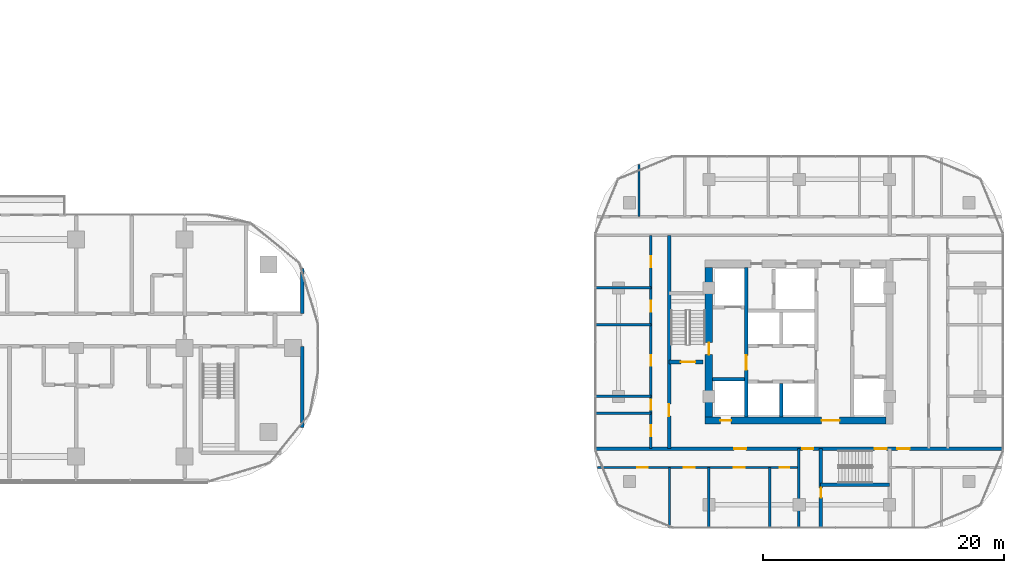
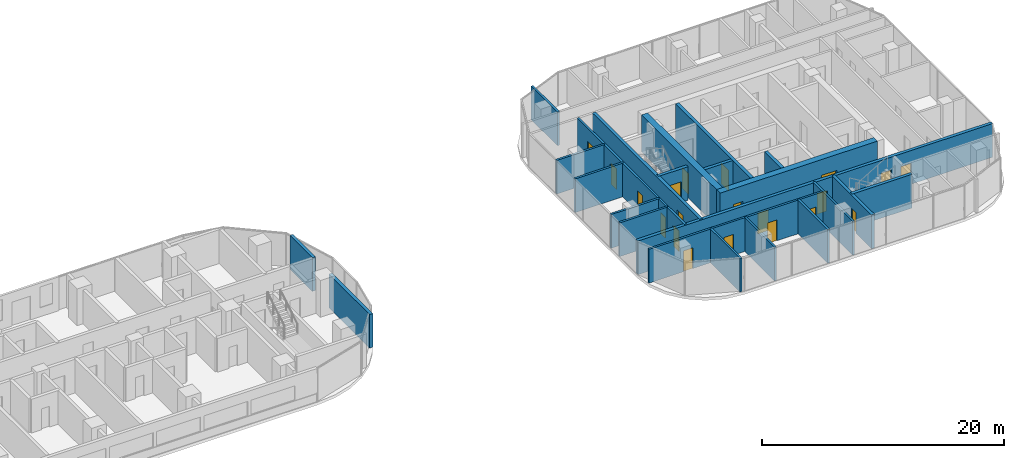
# One storey, part 21 of 32: 23 walls, 20 doors, 20 openings.
"""IFC4 building model written with IfcOpenShell, lengths in metres."""

from ifc_helpers import new_model, si_unit, direction, frame, frame_2d, origin, place, context, subcontext, project, spatial, rectangle, extrude, material, layer, layer_set, type_object, element, fill, save


model = new_model("IFC4")

# Units and contexts
model_context = context("Model", 3, precision=1e-05, world=origin(), true_north=direction((0.0, 1.0)))
body_context = subcontext(model_context, "Body", "Model", "MODEL_VIEW")
ifc_project = project(units=[si_unit("LENGTHUNIT", "METRE"), si_unit("AREAUNIT", "SQUARE_METRE"), si_unit("VOLUMEUNIT", "CUBIC_METRE"), si_unit("PLANEANGLEUNIT", "RADIAN"), si_unit("MASSUNIT", "GRAM", prefix="KILO")], contexts=[model_context])

# Site, building, storey
site_placement = place(None, origin())
site = spatial("IfcSite", under=ifc_project, at=site_placement, CompositionType="ELEMENT")
building_placement = place(site_placement, origin())
building = spatial("IfcBuilding", under=site, at=building_placement, Name="Ogive Portal Towers", CompositionType="ELEMENT")
storey_placement = place(building_placement, frame((0.0, 0.0, 55.699951171875)))
storey = spatial("IfcBuildingStorey", under=building, at=storey_placement, Name="L12", CompositionType="ELEMENT", Elevation=55.699951171875)

# Wall, opening, door
ifc_material_1 = material(Name="Concrete C60/75", Category="concrete")
ifc_layer_1 = layer(ifc_material_1, 0.300048828125)
ifc_layer_set_1 = layer_set([ifc_layer_1], Name="CORE WALL 300 C60")
wall_type_1 = type_object("IfcWallType", Name="CORE WALL 300 C60", PredefinedType="SHEAR", material=ifc_layer_set_1)
wall_1_placement = place(storey_placement, frame((132.10009765625, 24.800048828125, 0.0), z_axis=(0.0, 0.0, 1.0), x_axis=(0.0, 1.0, 0.0)))
wall_1 = element("IfcWall", 1, at=wall_1_placement, inside=storey, type_object=wall_type_1, Name="Tower B core wall BX1 L12", PredefinedType="SHEAR", context=body_context, shape_type="SweptSolid", body=[
    extrude(rectangle(XDim=12.39990234375, YDim=0.300048828125, at=frame_2d((6.199951171875, 0.0))), origin(), (0.0, 0.0, 1.0), 3.699951171875),
])
opening_1_placement = place(wall_1_placement, frame((3.89990234375, 0.0, 0.0)))
opening_1 = element("IfcOpeningElement", 2, at=opening_1_placement, cuts=wall_1, Name="Opening B03-041", PredefinedType="OPENING", context=body_context, shape_type="SweptSolid", body=[
    extrude(rectangle(XDim=1.199951171875, YDim=2.10009765625, at=frame_2d((0.60009765625, 1.050048828125))), frame((0.0, 0.16015625, 0.0), z_axis=(0.0, -1.0, 0.0), x_axis=(1.0, 0.0, 0.0)), (0.0, 0.0, 1.0), 0.320068359375),
])
ifc_material_2 = material(Name="Steel fire door", Category="steel")
door_type_1 = type_object("IfcDoorType", Name="DT-SWING-1200x2100-FD90S", OperationType="SINGLE_SWING_LEFT", PredefinedType="DOOR", material=ifc_material_2)
door_1_placement = place(opening_1_placement, origin())
door_1 = element("IfcDoor", 3, at=door_1_placement, inside=storey, type_object=door_type_1, Name="Door B03-041", OperationType="SINGLE_SWING_LEFT", OverallHeight=2.10009765625, OverallWidth=1.199951171875, PredefinedType="DOOR", context=body_context, shape_type="SweptSolid", body=[
    extrude(rectangle(XDim=1.199951171875, YDim=2.10009765625, at=frame_2d((0.60009765625, 1.050048828125))), frame((0.0, 0.02490234375, 0.0), z_axis=(0.0, -1.0, 0.0), x_axis=(1.0, 0.0, 0.0)), (0.0, 0.0, 1.0), 0.050048828125),
])
fill(opening_1, door_1)

# Walls
wall_2_placement = place(storey_placement, frame((135.0, 24.800048828125, 0.0), z_axis=(0.0, 0.0, 1.0), x_axis=(0.0, 1.0, 0.0)))
element("IfcWall", 4, at=wall_2_placement, inside=storey, type_object=wall_type_1, Name="Tower B core wall BX4 L12", PredefinedType="SHEAR", context=body_context, shape_type="SweptSolid", body=[
    extrude(rectangle(XDim=2.75, YDim=0.300048828125, at=frame_2d((1.375, 0.0))), origin(), (0.0, 0.0, 1.0), 3.699951171875),
])
wall_3_placement = place(storey_placement, frame((129.300048828125, 27.89990234375, 0.0), z_axis=(0.0, 0.0, 1.0), x_axis=(1.0, 0.0, 0.0)))
element("IfcWall", 5, at=wall_3_placement, inside=storey, type_object=wall_type_1, Name="Tower B core wall BY4 L12", PredefinedType="SHEAR", context=body_context, shape_type="SweptSolid", body=[
    extrude(rectangle(XDim=2.64990234375, YDim=0.300048828125, at=frame_2d((1.324951171875, 0.0))), origin(), (0.0, 0.0, 1.0), 3.699951171875),
])

# Wall, opening, door
ifc_layer_2 = layer(ifc_material_1, 0.60009765625)
ifc_layer_set_2 = layer_set([ifc_layer_2], Name="CORE WALL 600 C60")
wall_type_2 = type_object("IfcWallType", Name="CORE WALL 600 C60", PredefinedType="SHEAR", material=ifc_layer_set_2)
wall_4_placement = place(storey_placement, frame((129.0, 24.800048828125, 0.0), z_axis=(0.0, 0.0, 1.0), x_axis=(0.0, 1.0, 0.0)))
wall_4 = element("IfcWall", 6, at=wall_4_placement, inside=storey, type_object=wall_type_2, Name="Tower B core wall BW L12", PredefinedType="SHEAR", context=body_context, shape_type="SweptSolid", body=[
    extrude(rectangle(XDim=12.39990234375, YDim=0.60009765625, at=frame_2d((6.199951171875, 0.0))), origin(), (0.0, 0.0, 1.0), 3.699951171875),
])
opening_2_placement = place(wall_4_placement, frame((5.14990234375, 0.0, 0.0)))
opening_2 = element("IfcOpeningElement", 7, at=opening_2_placement, cuts=wall_4, Name="Opening B03-043", PredefinedType="OPENING", context=body_context, shape_type="SweptSolid", body=[
    extrude(rectangle(XDim=1.0, YDim=2.10009765625, at=frame_2d((0.5, 1.050048828125))), frame((0.0, 0.31005859375, 0.0), z_axis=(0.0, -1.0, 0.0), x_axis=(1.0, 0.0, 0.0)), (0.0, 0.0, 1.0), 0.6201171875),
])
door_type_2 = type_object("IfcDoorType", Name="DT-SWING-1000x2100-FD90S", OperationType="SINGLE_SWING_LEFT", PredefinedType="DOOR", material=ifc_material_2)
door_2_placement = place(opening_2_placement, origin())
door_2 = element("IfcDoor", 8, at=door_2_placement, inside=storey, type_object=door_type_2, Name="Door B03-043", OperationType="SINGLE_SWING_RIGHT", OverallHeight=2.10009765625, OverallWidth=1.0, PredefinedType="DOOR", context=body_context, shape_type="SweptSolid", body=[
    extrude(rectangle(XDim=1.0, YDim=2.10009765625, at=frame_2d((0.5, 1.050048828125))), frame((0.0, 0.02490234375, 0.0), z_axis=(0.0, -1.0, 0.0), x_axis=(1.0, 0.0, 0.0)), (0.0, 0.0, 1.0), 0.050048828125),
])
fill(opening_2, door_2)

# Wall, openings, doors
wall_5_placement = place(storey_placement, frame((128.699951171875, 24.5, 0.0), z_axis=(0.0, 0.0, 1.0), x_axis=(1.0, 0.0, 0.0)))
wall_5 = element("IfcWall", 9, at=wall_5_placement, inside=storey, type_object=wall_type_2, Name="Tower B core wall BS L12", PredefinedType="SHEAR", context=body_context, shape_type="SweptSolid", body=[
    extrude(rectangle(XDim=15.0, YDim=0.60009765625, at=frame_2d((7.5, 0.0))), origin(), (0.0, 0.0, 1.0), 3.699951171875),
])
opening_3_placement = place(wall_5_placement, frame((9.64990234375, 0.0, 0.0)))
opening_3 = element("IfcOpeningElement", 10, at=opening_3_placement, cuts=wall_5, Name="Opening B03-044", PredefinedType="OPENING", context=body_context, shape_type="SweptSolid", body=[
    extrude(rectangle(XDim=1.5, YDim=2.10009765625, at=frame_2d((0.75, 1.050048828125))), frame((0.0, 0.31005859375, 0.0), z_axis=(0.0, -1.0, 0.0), x_axis=(1.0, 0.0, 0.0)), (0.0, 0.0, 1.0), 0.6201171875),
])
opening_4_placement = place(wall_5_placement, frame((1.25, 0.0, 0.0)))
opening_4 = element("IfcOpeningElement", 11, at=opening_4_placement, cuts=wall_5, Name="Opening B03-046", PredefinedType="OPENING", context=body_context, shape_type="SweptSolid", body=[
    extrude(rectangle(XDim=0.89990234375, YDim=2.10009765625, at=frame_2d((0.449951171875, 1.050048828125))), frame((0.0, 0.31005859375, 0.0), z_axis=(0.0, -1.0, 0.0), x_axis=(1.0, 0.0, 0.0)), (0.0, 0.0, 1.0), 0.6201171875),
])
door_type_3 = type_object("IfcDoorType", Name="DT-SWING-1500x2100-FD90S", OperationType="SINGLE_SWING_LEFT", PredefinedType="DOOR", material=ifc_material_2)
door_3_placement = place(opening_3_placement, origin())
door_3 = element("IfcDoor", 12, at=door_3_placement, inside=storey, type_object=door_type_3, Name="Door B03-044", OperationType="SINGLE_SWING_LEFT", OverallHeight=2.10009765625, OverallWidth=1.5, PredefinedType="DOOR", context=body_context, shape_type="SweptSolid", body=[
    extrude(rectangle(XDim=1.5, YDim=2.10009765625, at=frame_2d((0.75, 1.050048828125))), frame((0.0, 0.02490234375, 0.0), z_axis=(0.0, -1.0, 0.0), x_axis=(1.0, 0.0, 0.0)), (0.0, 0.0, 1.0), 0.050048828125),
])
fill(opening_3, door_3)
door_type_4 = type_object("IfcDoorType", Name="DT-SWING-900x2100-FD90S", OperationType="SINGLE_SWING_LEFT", PredefinedType="DOOR", material=ifc_material_2)
door_4_placement = place(opening_4_placement, origin())
door_4 = element("IfcDoor", 13, at=door_4_placement, inside=storey, type_object=door_type_4, Name="Riser access door B03-046", OperationType="SINGLE_SWING_LEFT", OverallHeight=2.10009765625, OverallWidth=0.89990234375, PredefinedType="DOOR", context=body_context, shape_type="SweptSolid", body=[
    extrude(rectangle(XDim=0.89990234375, YDim=2.10009765625, at=frame_2d((0.449951171875, 1.050048828125))), frame((0.0, 0.02490234375, 0.0), z_axis=(0.0, -1.0, 0.0), x_axis=(1.0, 0.0, 0.0)), (0.0, 0.0, 1.0), 0.050048828125),
])
fill(opening_4, door_4)

# Wall
ifc_material_3 = material(Name="Concrete C50/60", Category="concrete")
ifc_layer_3 = layer(ifc_material_3, 0.300048828125)
ifc_layer_set_3 = layer_set([ifc_layer_3], Name="STAIR WALL 300 C50")
wall_type_3 = type_object("IfcWallType", Name="STAIR WALL 300 C50", PredefinedType="SHEAR", material=ifc_layer_set_3)
wall_6_placement = place(storey_placement, frame((138.25, 19.14990234375, 0.0), z_axis=(0.0, 0.0, 1.0), x_axis=(1.0, 0.0, 0.0)))
element("IfcWall", 14, at=wall_6_placement, inside=storey, type_object=wall_type_3, Name="Stair wall ST-B2 L12", PredefinedType="SHEAR", context=body_context, shape_type="SweptSolid", body=[
    extrude(rectangle(XDim=5.75, YDim=0.300048828125, at=frame_2d((2.875, 0.0))), origin(), (0.0, 0.0, 1.0), 3.400146484375),
])

# Wall, openings, doors
wall_7_placement = place(storey_placement, frame((119.580078125, 22.14990234375, 0.0), z_axis=(0.0, 0.0, 1.0), x_axis=(1.0, 0.0, 0.0)))
wall_7 = element("IfcWall", 15, at=wall_7_placement, inside=storey, type_object=wall_type_3, Name="Stair wall ST-B2 L12", PredefinedType="SHEAR", context=body_context, shape_type="SweptSolid", body=[
    extrude(rectangle(XDim=33.83984375, YDim=0.300048828125, at=frame_2d((16.919921875, 0.0))), origin(), (0.0, 0.0, 1.0), 3.400146484375),
])
opening_5_placement = place(wall_7_placement, frame((23.169921875, 0.0, 0.0)))
opening_5 = element("IfcOpeningElement", 16, at=opening_5_placement, cuts=wall_7, Name="Opening B03-003", PredefinedType="OPENING", context=body_context, shape_type="SweptSolid", body=[
    extrude(rectangle(XDim=1.0, YDim=2.10009765625, at=frame_2d((0.5, 1.050048828125))), frame((0.0, 0.16015625, 0.0), z_axis=(0.0, -1.0, 0.0), x_axis=(1.0, 0.0, 0.0)), (0.0, 0.0, 1.0), 0.320068359375),
])
opening_6_placement = place(wall_7_placement, frame((11.52001953125, 0.0, 0.0)))
opening_6 = element("IfcOpeningElement", 17, at=opening_6_placement, cuts=wall_7, Name="Opening B03-017", PredefinedType="OPENING", context=body_context, shape_type="SweptSolid", body=[
    extrude(rectangle(XDim=1.0, YDim=2.10009765625, at=frame_2d((0.5, 1.050048828125))), frame((0.0, 0.16015625, 0.0), z_axis=(0.0, -1.0, 0.0), x_axis=(1.0, 0.0, 0.0)), (0.0, 0.0, 1.0), 0.320068359375),
])
opening_7_placement = place(wall_7_placement, frame((25.070068359375, 0.0, 0.0)))
opening_7 = element("IfcOpeningElement", 18, at=opening_7_placement, cuts=wall_7, Name="Opening B03-022", PredefinedType="OPENING", context=body_context, shape_type="SweptSolid", body=[
    extrude(rectangle(XDim=1.0, YDim=2.10009765625, at=frame_2d((0.5, 1.050048828125))), frame((0.0, 0.16015625, 0.0), z_axis=(0.0, -1.0, 0.0), x_axis=(1.0, 0.0, 0.0)), (0.0, 0.0, 1.0), 0.320068359375),
])
opening_8_placement = place(wall_7_placement, frame((17.169921875, 0.0, 0.0)))
opening_8 = element("IfcOpeningElement", 19, at=opening_8_placement, cuts=wall_7, Name="Opening B03-026", PredefinedType="OPENING", context=body_context, shape_type="SweptSolid", body=[
    extrude(rectangle(XDim=0.89990234375, YDim=2.10009765625, at=frame_2d((0.449951171875, 1.050048828125))), frame((0.0, 0.16015625, 0.0), z_axis=(0.0, -1.0, 0.0), x_axis=(1.0, 0.0, 0.0)), (0.0, 0.0, 1.0), 0.320068359375),
])
door_5_placement = place(opening_5_placement, origin())
door_5 = element("IfcDoor", 20, at=door_5_placement, inside=storey, type_object=door_type_2, Name="Door B03-003", OperationType="SINGLE_SWING_LEFT", OverallHeight=2.10009765625, OverallWidth=1.0, PredefinedType="DOOR", context=body_context, shape_type="SweptSolid", body=[
    extrude(rectangle(XDim=1.0, YDim=2.10009765625, at=frame_2d((0.5, 1.050048828125))), frame((0.0, 0.02490234375, 0.0), z_axis=(0.0, -1.0, 0.0), x_axis=(1.0, 0.0, 0.0)), (0.0, 0.0, 1.0), 0.050048828125),
])
fill(opening_5, door_5)
door_6_placement = place(opening_6_placement, origin())
door_6 = element("IfcDoor", 21, at=door_6_placement, inside=storey, type_object=door_type_2, Name="Door B03-017", OperationType="SINGLE_SWING_LEFT", OverallHeight=2.10009765625, OverallWidth=1.0, PredefinedType="DOOR", context=body_context, shape_type="SweptSolid", body=[
    extrude(rectangle(XDim=1.0, YDim=2.10009765625, at=frame_2d((0.5, 1.050048828125))), frame((0.0, 0.02490234375, 0.0), z_axis=(0.0, -1.0, 0.0), x_axis=(1.0, 0.0, 0.0)), (0.0, 0.0, 1.0), 0.050048828125),
])
fill(opening_6, door_6)
door_7_placement = place(opening_7_placement, origin())
door_7 = element("IfcDoor", 22, at=door_7_placement, inside=storey, type_object=door_type_2, Name="Door B03-022", OperationType="SINGLE_SWING_RIGHT", OverallHeight=2.10009765625, OverallWidth=1.0, PredefinedType="DOOR", context=body_context, shape_type="SweptSolid", body=[
    extrude(rectangle(XDim=1.0, YDim=2.10009765625, at=frame_2d((0.5, 1.050048828125))), frame((0.0, 0.02490234375, 0.0), z_axis=(0.0, -1.0, 0.0), x_axis=(1.0, 0.0, 0.0)), (0.0, 0.0, 1.0), 0.050048828125),
])
fill(opening_7, door_7)
door_8_placement = place(opening_8_placement, origin())
door_8 = element("IfcDoor", 23, at=door_8_placement, inside=storey, type_object=door_type_4, Name="Door B03-026", OperationType="SINGLE_SWING_RIGHT", OverallHeight=2.10009765625, OverallWidth=0.89990234375, PredefinedType="DOOR", context=body_context, shape_type="SweptSolid", body=[
    extrude(rectangle(XDim=0.89990234375, YDim=2.10009765625, at=frame_2d((0.449951171875, 1.050048828125))), frame((0.0, 0.02490234375, 0.0), z_axis=(0.0, -1.0, 0.0), x_axis=(1.0, 0.0, 0.0)), (0.0, 0.0, 1.0), 0.050048828125),
])
fill(opening_8, door_8)

# Wall, opening, door
wall_8_placement = place(storey_placement, frame((125.699951171875, 29.35009765625, 0.0), z_axis=(0.0, 0.0, 1.0), x_axis=(1.0, 0.0, 0.0)))
wall_8 = element("IfcWall", 24, at=wall_8_placement, inside=storey, type_object=wall_type_3, Name="Stair wall ST-B1 L12", PredefinedType="SHEAR", context=body_context, shape_type="SweptSolid", body=[
    extrude(rectangle(XDim=2.830078125, YDim=0.300048828125, at=frame_2d((1.4150390625, 0.0))), origin(), (0.0, 0.0, 1.0), 3.400146484375),
])
opening_9_placement = place(wall_8_placement, frame((0.97509765625, 0.0, 0.0)))
opening_9 = element("IfcOpeningElement", 25, at=opening_9_placement, cuts=wall_8, Name="Opening B03-002", PredefinedType="OPENING", context=body_context, shape_type="SweptSolid", body=[
    extrude(rectangle(XDim=1.199951171875, YDim=2.10009765625, at=frame_2d((0.60009765625, 1.050048828125))), frame((0.0, 0.16015625, 0.0), z_axis=(0.0, -1.0, 0.0), x_axis=(1.0, 0.0, 0.0)), (0.0, 0.0, 1.0), 0.320068359375),
])
door_9_placement = place(opening_9_placement, origin())
door_9 = element("IfcDoor", 26, at=door_9_placement, inside=storey, type_object=door_type_1, Name="Door B03-002", OperationType="SINGLE_SWING_RIGHT", OverallHeight=2.10009765625, OverallWidth=1.199951171875, PredefinedType="DOOR", context=body_context, shape_type="SweptSolid", body=[
    extrude(rectangle(XDim=1.199951171875, YDim=2.10009765625, at=frame_2d((0.60009765625, 1.050048828125))), frame((0.0, 0.02490234375, 0.0), z_axis=(0.0, -1.0, 0.0), x_axis=(1.0, 0.0, 0.0)), (0.0, 0.0, 1.0), 0.050048828125),
])
fill(opening_9, door_9)

wall_9_placement = place(storey_placement, frame((125.699951171875, 22.14990234375, 0.0), z_axis=(0.0, 0.0, 1.0), x_axis=(0.0, 1.0, 0.0)))
wall_9 = element("IfcWall", 27, at=wall_9_placement, inside=storey, type_object=wall_type_3, Name="Stair wall ST-B1 L12", PredefinedType="SHEAR", context=body_context, shape_type="SweptSolid", body=[
    extrude(rectangle(XDim=17.7001953125, YDim=0.300048828125, at=frame_2d((8.85009765625, 0.0))), origin(), (0.0, 0.0, 1.0), 3.400146484375),
])
opening_10_placement = place(wall_9_placement, frame((2.699951171875, 0.0, 0.0)))
opening_10 = element("IfcOpeningElement", 28, at=opening_10_placement, cuts=wall_9, Name="Opening B03-028", PredefinedType="OPENING", context=body_context, shape_type="SweptSolid", body=[
    extrude(rectangle(XDim=1.0, YDim=2.10009765625, at=frame_2d((0.5, 1.050048828125))), frame((0.0, 0.16015625, 0.0), z_axis=(0.0, -1.0, 0.0), x_axis=(1.0, 0.0, 0.0)), (0.0, 0.0, 1.0), 0.320068359375),
])
door_10_placement = place(opening_10_placement, origin())
door_10 = element("IfcDoor", 29, at=door_10_placement, inside=storey, type_object=door_type_2, Name="Door B03-028", OperationType="SINGLE_SWING_RIGHT", OverallHeight=2.10009765625, OverallWidth=1.0, PredefinedType="DOOR", context=body_context, shape_type="SweptSolid", body=[
    extrude(rectangle(XDim=1.0, YDim=2.10009765625, at=frame_2d((0.5, 1.050048828125))), frame((0.0, 0.02490234375, 0.0), z_axis=(0.0, -1.0, 0.0), x_axis=(1.0, 0.0, 0.0)), (0.0, 0.0, 1.0), 0.050048828125),
])
fill(opening_10, door_10)

wall_10_placement = place(storey_placement, frame((138.300048828125, 15.580078125, 0.0), z_axis=(0.0, 0.0, 1.0), x_axis=(0.0, 1.0, 0.0)))
wall_10 = element("IfcWall", 30, at=wall_10_placement, inside=storey, type_object=wall_type_3, Name="Stair wall ST-B2 L12", PredefinedType="SHEAR", context=body_context, shape_type="SweptSolid", body=[
    extrude(rectangle(XDim=6.56982421875, YDim=0.300048828125, at=frame_2d((3.284912109375, 0.0))), origin(), (0.0, 0.0, 1.0), 3.400146484375),
])
opening_11_placement = place(wall_10_placement, frame((2.52001953125, 0.0, 0.0)))
opening_11 = element("IfcOpeningElement", 31, at=opening_11_placement, cuts=wall_10, Name="Opening B03-027", PredefinedType="OPENING", context=body_context, shape_type="SweptSolid", body=[
    extrude(rectangle(XDim=0.800048828125, YDim=2.10009765625, at=frame_2d((0.39990234375, 1.050048828125))), frame((0.0, 0.16015625, 0.0), z_axis=(0.0, -1.0, 0.0), x_axis=(1.0, 0.0, 0.0)), (0.0, 0.0, 1.0), 0.320068359375),
])
door_type_5 = type_object("IfcDoorType", Name="DT-SWING-800x2100-FD90S", OperationType="SINGLE_SWING_LEFT", PredefinedType="DOOR", material=ifc_material_2)
door_11_placement = place(opening_11_placement, origin())
door_11 = element("IfcDoor", 32, at=door_11_placement, inside=storey, type_object=door_type_5, Name="Door B03-027", OperationType="SINGLE_SWING_LEFT", OverallHeight=2.10009765625, OverallWidth=0.800048828125, PredefinedType="DOOR", context=body_context, shape_type="SweptSolid", body=[
    extrude(rectangle(XDim=0.800048828125, YDim=2.10009765625, at=frame_2d((0.39990234375, 1.050048828125))), frame((0.0, 0.02490234375, 0.0), z_axis=(0.0, -1.0, 0.0), x_axis=(1.0, 0.0, 0.0)), (0.0, 0.0, 1.0), 0.050048828125),
])
fill(opening_11, door_11)

# Wall, openings, doors
ifc_material_4 = material(Name="Gypsum board partition on steel studs", Category="steel")
ifc_layer_4 = layer(ifc_material_4, 0.199951171875)
ifc_layer_set_4 = layer_set([ifc_layer_4], Name="WT-PART-200-EI 60")
wall_type_4 = type_object("IfcWallType", Name="WT-PART-200-EI 60", PredefinedType="PARTITIONING", material=ifc_layer_set_4)
wall_11_placement = place(storey_placement, frame((119.76611328125, 20.590087890625, 0.0), z_axis=(0.0, 0.0, 1.0), x_axis=(1.0, 0.0, 0.0)))
wall_11 = element("IfcWall", 33, at=wall_11_placement, inside=storey, type_object=wall_type_4, Name="Wall L12:w002", PredefinedType="PARTITIONING", context=body_context, shape_type="SweptSolid", body=[
    extrude(rectangle(XDim=16.73388671875, YDim=0.199951171875, at=frame_2d((8.366943359375, 0.0))), origin(), (0.0, 0.0, 1.0), 3.400146484375),
])
opening_12_placement = place(wall_11_placement, frame((3.281982421875, 0.0, 0.0)))
opening_12 = element("IfcOpeningElement", 34, at=opening_12_placement, cuts=wall_11, Name="Opening B03-018", PredefinedType="OPENING", context=body_context, shape_type="SweptSolid", body=[
    extrude(rectangle(XDim=0.89990234375, YDim=2.10009765625, at=frame_2d((0.449951171875, 1.050048828125))), frame((0.0, 0.10986328125, 0.0), z_axis=(0.0, -1.0, 0.0), x_axis=(1.0, 0.0, 0.0)), (0.0, 0.0, 1.0), 0.219970703125),
])
opening_13_placement = place(wall_11_placement, frame((7.152099609375, 0.0, 0.0)))
opening_13 = element("IfcOpeningElement", 35, at=opening_13_placement, cuts=wall_11, Name="Opening B03-019", PredefinedType="OPENING", context=body_context, shape_type="SweptSolid", body=[
    extrude(rectangle(XDim=0.89990234375, YDim=2.10009765625, at=frame_2d((0.449951171875, 1.050048828125))), frame((0.0, 0.10986328125, 0.0), z_axis=(0.0, -1.0, 0.0), x_axis=(1.0, 0.0, 0.0)), (0.0, 0.0, 1.0), 0.219970703125),
])
opening_14_placement = place(wall_11_placement, frame((11.318115234375, 0.0, 0.0)))
opening_14 = element("IfcOpeningElement", 36, at=opening_14_placement, cuts=wall_11, Name="Opening B03-020", PredefinedType="OPENING", context=body_context, shape_type="SweptSolid", body=[
    extrude(rectangle(XDim=0.89990234375, YDim=2.10009765625, at=frame_2d((0.449951171875, 1.050048828125))), frame((0.0, 0.10986328125, 0.0), z_axis=(0.0, -1.0, 0.0), x_axis=(1.0, 0.0, 0.0)), (0.0, 0.0, 1.0), 0.219970703125),
])
opening_15_placement = place(wall_11_placement, frame((15.117919921875, 0.0, 0.0)))
opening_15 = element("IfcOpeningElement", 37, at=opening_15_placement, cuts=wall_11, Name="Opening B03-021", PredefinedType="OPENING", context=body_context, shape_type="SweptSolid", body=[
    extrude(rectangle(XDim=0.800048828125, YDim=2.10009765625, at=frame_2d((0.39990234375, 1.050048828125))), frame((0.0, 0.10986328125, 0.0), z_axis=(0.0, -1.0, 0.0), x_axis=(1.0, 0.0, 0.0)), (0.0, 0.0, 1.0), 0.219970703125),
])
door_type_6 = type_object("IfcDoorType", Name="DT-SWING-800x2100-FD60S", OperationType="SINGLE_SWING_LEFT", PredefinedType="DOOR", material=ifc_material_2)
door_12_placement = place(opening_15_placement, origin())
door_12 = element("IfcDoor", 38, at=door_12_placement, inside=storey, type_object=door_type_6, Name="Door B03-021", OperationType="SINGLE_SWING_LEFT", OverallHeight=2.10009765625, OverallWidth=0.800048828125, PredefinedType="DOOR", context=body_context, shape_type="SweptSolid", body=[
    extrude(rectangle(XDim=0.800048828125, YDim=2.10009765625, at=frame_2d((0.39990234375, 1.050048828125))), frame((0.0, 0.02490234375, 0.0), z_axis=(0.0, -1.0, 0.0), x_axis=(1.0, 0.0, 0.0)), (0.0, 0.0, 1.0), 0.050048828125),
])
fill(opening_15, door_12)
door_type_7 = type_object("IfcDoorType", Name="DT-SWING-900x2100-FD60S", OperationType="SINGLE_SWING_LEFT", PredefinedType="DOOR", material=ifc_material_2)
door_13_placement = place(opening_12_placement, origin())
door_13 = element("IfcDoor", 39, at=door_13_placement, inside=storey, type_object=door_type_7, Name="Door B03-018", OperationType="SINGLE_SWING_RIGHT", OverallHeight=2.10009765625, OverallWidth=0.89990234375, PredefinedType="DOOR", context=body_context, shape_type="SweptSolid", body=[
    extrude(rectangle(XDim=0.89990234375, YDim=2.10009765625, at=frame_2d((0.449951171875, 1.050048828125))), frame((0.0, 0.02490234375, 0.0), z_axis=(0.0, -1.0, 0.0), x_axis=(1.0, 0.0, 0.0)), (0.0, 0.0, 1.0), 0.050048828125),
])
fill(opening_12, door_13)
door_14_placement = place(opening_13_placement, origin())
door_14 = element("IfcDoor", 40, at=door_14_placement, inside=storey, type_object=door_type_7, Name="Door B03-019", OperationType="SINGLE_SWING_LEFT", OverallHeight=2.10009765625, OverallWidth=0.89990234375, PredefinedType="DOOR", context=body_context, shape_type="SweptSolid", body=[
    extrude(rectangle(XDim=0.89990234375, YDim=2.10009765625, at=frame_2d((0.449951171875, 1.050048828125))), frame((0.0, 0.02490234375, 0.0), z_axis=(0.0, -1.0, 0.0), x_axis=(1.0, 0.0, 0.0)), (0.0, 0.0, 1.0), 0.050048828125),
])
fill(opening_13, door_14)
door_15_placement = place(opening_14_placement, origin())
door_15 = element("IfcDoor", 41, at=door_15_placement, inside=storey, type_object=door_type_7, Name="Door B03-020", OperationType="SINGLE_SWING_RIGHT", OverallHeight=2.10009765625, OverallWidth=0.89990234375, PredefinedType="DOOR", context=body_context, shape_type="SweptSolid", body=[
    extrude(rectangle(XDim=0.89990234375, YDim=2.10009765625, at=frame_2d((0.449951171875, 1.050048828125))), frame((0.0, 0.02490234375, 0.0), z_axis=(0.0, -1.0, 0.0), x_axis=(1.0, 0.0, 0.0)), (0.0, 0.0, 1.0), 0.050048828125),
])
fill(opening_14, door_15)

# Walls
for number, where, z_axis, x_axis, name in (
    (42, (119.580078125, 25.10595703125, 0.0), (0.0, 0.0, 1.0), (1.0, 0.0, 0.0), "Wall L12:w007"),
    (43, (119.580078125, 26.5, 0.0), (0.0, 0.0, 1.0), (1.0, 0.0, 0.0), "Wall L12:w008"),
    (44, (119.580078125, 32.43310546875, 0.0), (0.0, 0.0, 1.0), (1.0, 0.0, 0.0), "Wall L12:w011"),
    (45, (119.580078125, 35.5, 0.0), (0.0, 0.0, 1.0), (1.0, 0.0, 0.0), "Wall L12:w014"),
):
    element("IfcWall", number, at=place(storey_placement, frame(where, z_axis=z_axis, x_axis=x_axis)), inside=storey, type_object=wall_type_4, Name=name, PredefinedType="PARTITIONING", context=body_context, shape_type="SweptSolid", body=[
        extrude(rectangle(XDim=4.60986328125, YDim=0.199951171875, at=frame_2d((2.304931640625, 0.0))), origin(), (0.0, 0.0, 1.0), 3.400146484375),
    ])
wall_12_placement = place(storey_placement, frame((123.2060546875, 41.409912109375, 0.0), z_axis=(0.0, 0.0, 1.0), x_axis=(0.0, 1.0, 0.0)))
element("IfcWall", 46, at=wall_12_placement, inside=storey, type_object=wall_type_4, Name="Wall L12:w021", PredefinedType="PARTITIONING", context=body_context, shape_type="SweptSolid", body=[
    extrude(rectangle(XDim=4.322021484375, YDim=0.199951171875, at=frame_2d((2.1611328125, 0.0))), origin(), (0.0, 0.0, 1.0), 3.400146484375),
])

# Wall, openings, doors
wall_13_placement = place(storey_placement, frame((124.18994140625, 22.14990234375, 0.0), z_axis=(0.0, 0.0, 1.0), x_axis=(0.0, 1.0, 0.0)))
wall_13 = element("IfcWall", 47, at=wall_13_placement, inside=storey, type_object=wall_type_4, Name="Wall L12:w022", PredefinedType="PARTITIONING", context=body_context, shape_type="SweptSolid", body=[
    extrude(rectangle(XDim=17.7001953125, YDim=0.199951171875, at=frame_2d((8.85009765625, 0.0))), origin(), (0.0, 0.0, 1.0), 3.400146484375),
])
opening_16_placement = place(wall_13_placement, frame((1.028076171875, 0.0, 0.0)))
opening_16 = element("IfcOpeningElement", 48, at=opening_16_placement, cuts=wall_13, Name="Opening B03-029", PredefinedType="OPENING", context=body_context, shape_type="SweptSolid", body=[
    extrude(rectangle(XDim=0.89990234375, YDim=2.10009765625, at=frame_2d((0.449951171875, 1.050048828125))), frame((0.0, 0.10986328125, 0.0), z_axis=(0.0, -1.0, 0.0), x_axis=(1.0, 0.0, 0.0)), (0.0, 0.0, 1.0), 0.219970703125),
])
opening_17_placement = place(wall_13_placement, frame((3.2529296875, 0.0, 0.0)))
opening_17 = element("IfcOpeningElement", 49, at=opening_17_placement, cuts=wall_13, Name="Opening B03-030", PredefinedType="OPENING", context=body_context, shape_type="SweptSolid", body=[
    extrude(rectangle(XDim=0.800048828125, YDim=2.10009765625, at=frame_2d((0.39990234375, 1.050048828125))), frame((0.0, 0.10986328125, 0.0), z_axis=(0.0, -1.0, 0.0), x_axis=(1.0, 0.0, 0.0)), (0.0, 0.0, 1.0), 0.219970703125),
])
opening_18_placement = place(wall_13_placement, frame((6.866943359375, 0.0, 0.0)))
opening_18 = element("IfcOpeningElement", 50, at=opening_18_placement, cuts=wall_13, Name="Opening B03-031", PredefinedType="OPENING", context=body_context, shape_type="SweptSolid", body=[
    extrude(rectangle(XDim=0.89990234375, YDim=2.10009765625, at=frame_2d((0.449951171875, 1.050048828125))), frame((0.0, 0.10986328125, 0.0), z_axis=(0.0, -1.0, 0.0), x_axis=(1.0, 0.0, 0.0)), (0.0, 0.0, 1.0), 0.219970703125),
])
opening_19_placement = place(wall_13_placement, frame((11.366943359375, 0.0, 0.0)))
opening_19 = element("IfcOpeningElement", 51, at=opening_19_placement, cuts=wall_13, Name="Opening B03-032", PredefinedType="OPENING", context=body_context, shape_type="SweptSolid", body=[
    extrude(rectangle(XDim=0.89990234375, YDim=2.10009765625, at=frame_2d((0.449951171875, 1.050048828125))), frame((0.0, 0.10986328125, 0.0), z_axis=(0.0, -1.0, 0.0), x_axis=(1.0, 0.0, 0.0)), (0.0, 0.0, 1.0), 0.219970703125),
])
opening_20_placement = place(wall_13_placement, frame((15.074951171875, 0.0, 0.0)))
opening_20 = element("IfcOpeningElement", 52, at=opening_20_placement, cuts=wall_13, Name="Opening B03-033", PredefinedType="OPENING", context=body_context, shape_type="SweptSolid", body=[
    extrude(rectangle(XDim=0.89990234375, YDim=2.10009765625, at=frame_2d((0.449951171875, 1.050048828125))), frame((0.0, 0.10986328125, 0.0), z_axis=(0.0, -1.0, 0.0), x_axis=(1.0, 0.0, 0.0)), (0.0, 0.0, 1.0), 0.219970703125),
])
door_16_placement = place(opening_17_placement, origin())
door_16 = element("IfcDoor", 53, at=door_16_placement, inside=storey, type_object=door_type_6, Name="Door B03-030", OperationType="SINGLE_SWING_RIGHT", OverallHeight=2.10009765625, OverallWidth=0.800048828125, PredefinedType="DOOR", context=body_context, shape_type="SweptSolid", body=[
    extrude(rectangle(XDim=0.800048828125, YDim=2.10009765625, at=frame_2d((0.39990234375, 1.050048828125))), frame((0.0, 0.02490234375, 0.0), z_axis=(0.0, -1.0, 0.0), x_axis=(1.0, 0.0, 0.0)), (0.0, 0.0, 1.0), 0.050048828125),
])
fill(opening_17, door_16)
door_17_placement = place(opening_16_placement, origin())
door_17 = element("IfcDoor", 54, at=door_17_placement, inside=storey, type_object=door_type_7, Name="Door B03-029", OperationType="SINGLE_SWING_LEFT", OverallHeight=2.10009765625, OverallWidth=0.89990234375, PredefinedType="DOOR", context=body_context, shape_type="SweptSolid", body=[
    extrude(rectangle(XDim=0.89990234375, YDim=2.10009765625, at=frame_2d((0.449951171875, 1.050048828125))), frame((0.0, 0.02490234375, 0.0), z_axis=(0.0, -1.0, 0.0), x_axis=(1.0, 0.0, 0.0)), (0.0, 0.0, 1.0), 0.050048828125),
])
fill(opening_16, door_17)
door_18_placement = place(opening_18_placement, origin())
door_18 = element("IfcDoor", 55, at=door_18_placement, inside=storey, type_object=door_type_7, Name="Door B03-031", OperationType="SINGLE_SWING_LEFT", OverallHeight=2.10009765625, OverallWidth=0.89990234375, PredefinedType="DOOR", context=body_context, shape_type="SweptSolid", body=[
    extrude(rectangle(XDim=0.89990234375, YDim=2.10009765625, at=frame_2d((0.449951171875, 1.050048828125))), frame((0.0, 0.02490234375, 0.0), z_axis=(0.0, -1.0, 0.0), x_axis=(1.0, 0.0, 0.0)), (0.0, 0.0, 1.0), 0.050048828125),
])
fill(opening_18, door_18)
door_19_placement = place(opening_19_placement, origin())
door_19 = element("IfcDoor", 56, at=door_19_placement, inside=storey, type_object=door_type_7, Name="Door B03-032", OperationType="SINGLE_SWING_RIGHT", OverallHeight=2.10009765625, OverallWidth=0.89990234375, PredefinedType="DOOR", context=body_context, shape_type="SweptSolid", body=[
    extrude(rectangle(XDim=0.89990234375, YDim=2.10009765625, at=frame_2d((0.449951171875, 1.050048828125))), frame((0.0, 0.02490234375, 0.0), z_axis=(0.0, -1.0, 0.0), x_axis=(1.0, 0.0, 0.0)), (0.0, 0.0, 1.0), 0.050048828125),
])
fill(opening_19, door_19)
door_20_placement = place(opening_20_placement, origin())
door_20 = element("IfcDoor", 57, at=door_20_placement, inside=storey, type_object=door_type_7, Name="Door B03-033", OperationType="SINGLE_SWING_LEFT", OverallHeight=2.10009765625, OverallWidth=0.89990234375, PredefinedType="DOOR", context=body_context, shape_type="SweptSolid", body=[
    extrude(rectangle(XDim=0.89990234375, YDim=2.10009765625, at=frame_2d((0.449951171875, 1.050048828125))), frame((0.0, 0.02490234375, 0.0), z_axis=(0.0, -1.0, 0.0), x_axis=(1.0, 0.0, 0.0)), (0.0, 0.0, 1.0), 0.050048828125),
])
fill(opening_20, door_20)

# Walls
wall_14_placement = place(storey_placement, frame((125.737060546875, 15.614990234375, 0.0), z_axis=(0.0, 0.0, 1.0), x_axis=(0.0, 1.0, 0.0)))
element("IfcWall", 58, at=wall_14_placement, inside=storey, type_object=wall_type_4, Name="Wall L12:w024", PredefinedType="PARTITIONING", context=body_context, shape_type="SweptSolid", body=[
    extrude(rectangle(XDim=4.97509765625, YDim=0.199951171875, at=frame_2d((2.487548828125, 0.0))), origin(), (0.0, 0.0, 1.0), 3.400146484375),
])
for number, where, z_axis, x_axis, name in (
    (59, (129.0, 15.580078125, 0.0), (0.0, 0.0, 1.0), (0.0, 1.0, 0.0), "Wall L12:w028"),
    (60, (134.069091796875, 15.580078125, 0.0), (0.0, 0.0, 1.0), (0.0, 1.0, 0.0), "Wall L12:w031"),
):
    element("IfcWall", number, at=place(storey_placement, frame(where, z_axis=z_axis, x_axis=x_axis)), inside=storey, type_object=wall_type_4, Name=name, PredefinedType="PARTITIONING", context=body_context, shape_type="SweptSolid", body=[
        extrude(rectangle(XDim=5.010009765625, YDim=0.199951171875, at=frame_2d((2.5048828125, 0.0))), origin(), (0.0, 0.0, 1.0), 3.400146484375),
    ])
wall_15_placement = place(storey_placement, frame((136.449951171875, 15.580078125, 0.0), z_axis=(0.0, 0.0, 1.0), x_axis=(0.0, 1.0, 0.0)))
element("IfcWall", 61, at=wall_15_placement, inside=storey, type_object=wall_type_4, Name="Wall L12:w033", PredefinedType="PARTITIONING", context=body_context, shape_type="SweptSolid", body=[
    extrude(rectangle(XDim=6.56982421875, YDim=0.199951171875, at=frame_2d((3.284912109375, 0.0))), origin(), (0.0, 0.0, 1.0), 3.400146484375),
])
ifc_layer_5 = layer(ifc_material_4, 0.300048828125)
ifc_layer_set_5 = layer_set([ifc_layer_5], Name="WT-PART-300-EI 60")
wall_type_5 = type_object("IfcWallType", Name="WT-PART-300-EI 60", PredefinedType="PARTITIONING", material=ifc_layer_set_5)
wall_16_placement = place(storey_placement, frame((95.25, 23.9150390625, 0.0), z_axis=(0.0, 0.0, 1.0), x_axis=(0.0, 1.0, 0.0)))
element("IfcWall", 62, at=wall_16_placement, inside=storey, type_object=wall_type_5, Name="Wall L12:w064", PredefinedType="PARTITIONING", context=body_context, shape_type="SweptSolid", body=[
    extrude(rectangle(XDim=6.73486328125, YDim=0.300048828125, at=frame_2d((3.367431640625, 0.0))), origin(), (0.0, 0.0, 1.0), 3.400146484375),
])
wall_17_placement = place(storey_placement, frame((95.25, 33.35009765625, 0.0), z_axis=(0.0, 0.0, 1.0), x_axis=(0.0, 1.0, 0.0)))
element("IfcWall", 63, at=wall_17_placement, inside=storey, type_object=wall_type_5, Name="Wall L12:w065", PredefinedType="PARTITIONING", context=body_context, shape_type="SweptSolid", body=[
    extrude(rectangle(XDim=3.73486328125, YDim=0.300048828125, at=frame_2d((1.867431640625, 0.0))), origin(), (0.0, 0.0, 1.0), 3.400146484375),
])

save(model, "model.ifc")
